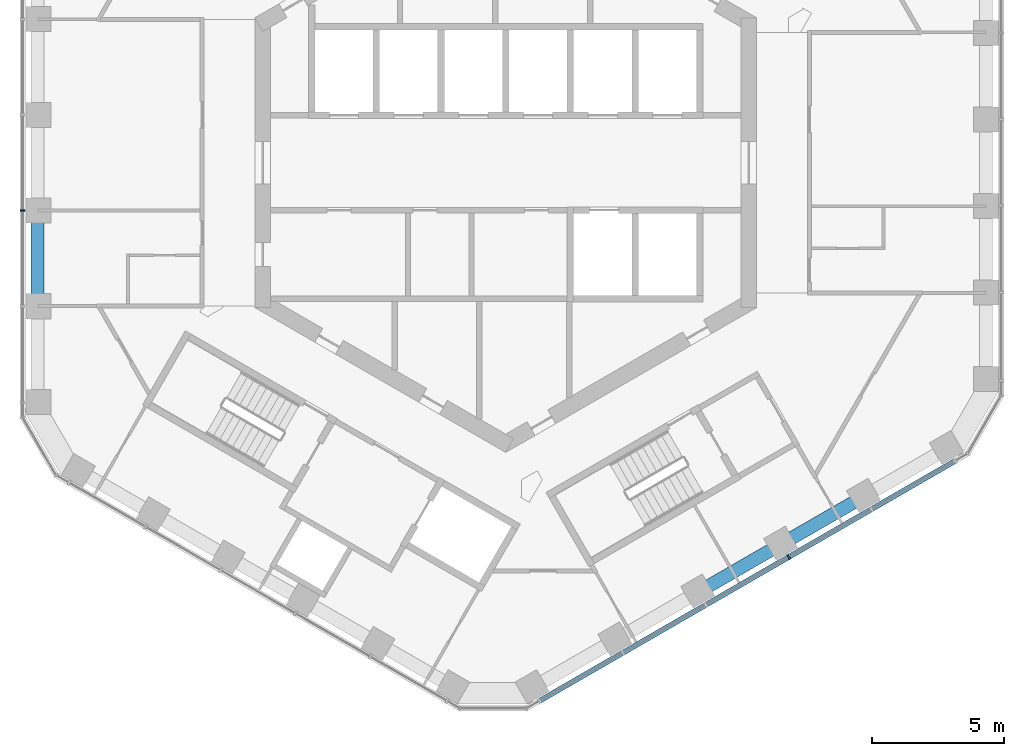
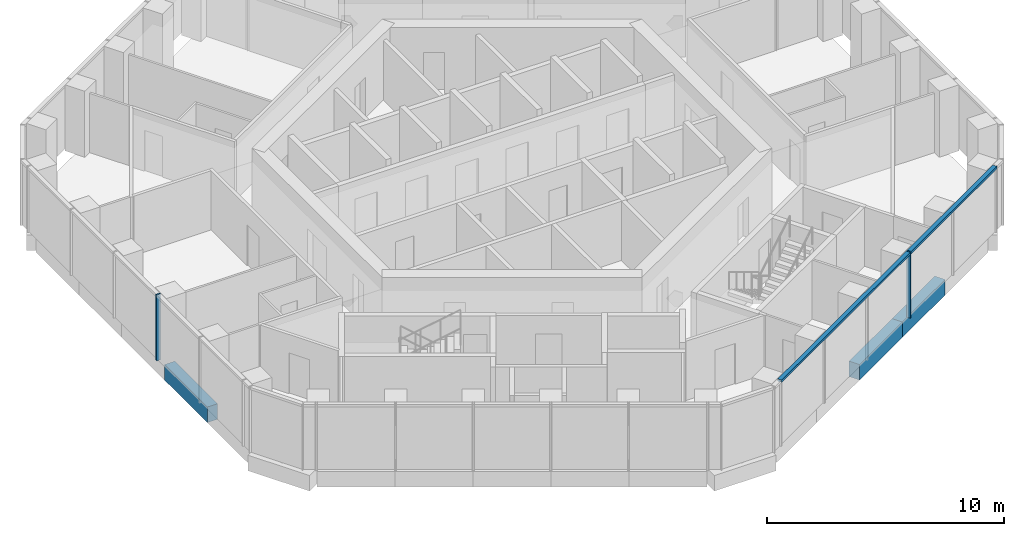
# One storey, part 3 of 18: 3 beams, 3 members, 2 elements without a shape of their own.
"""IFC4 building model written with IfcOpenShell, lengths in metres."""

from ifc_helpers import new_model, si_unit, direction, frame, origin, origin_2d, place, context, subcontext, project, spatial, rectangle, extrude, material, layer, layer_set, material_profile, profile_set, type_object, element, aggregate, save


model = new_model("IFC4")

# Units and contexts
model_context = context("Model", 3, precision=1e-05, world=origin(), true_north=direction((0.0, 1.0)))
body_context = subcontext(model_context, "Body", "Model", "MODEL_VIEW")
ifc_project = project(units=[si_unit("LENGTHUNIT", "METRE"), si_unit("AREAUNIT", "SQUARE_METRE"), si_unit("VOLUMEUNIT", "CUBIC_METRE"), si_unit("PLANEANGLEUNIT", "RADIAN"), si_unit("MASSUNIT", "GRAM", prefix="KILO")], contexts=[model_context])

# Site, building, storey
site_placement = place(None, origin())
site = spatial("IfcSite", under=ifc_project, at=site_placement, CompositionType="ELEMENT")
building_placement = place(site_placement, origin())
building = spatial("IfcBuilding", under=site, at=building_placement, Name="Ayvan Gate Tower", CompositionType="ELEMENT")
storey_placement = place(building_placement, frame((0.0, 0.0, 179.89990234375)))
storey = spatial("IfcBuildingStorey", under=building, at=storey_placement, Name="L48", CompositionType="ELEMENT", Elevation=179.89990234375)

# Beams
ifc_material_1 = material(Name="Concrete C40/50", Category="concrete")
ifc_material_profile_1 = material_profile(ifc_material_1, rectangle(XDim=0.5, YDim=0.800048828125, at=origin_2d()), Name="RC 500x800")
ifc_profile_set_1 = profile_set([ifc_material_profile_1], Name="Concrete C40/50")
beam_type = type_object("IfcBeamType", Name="Spandrel beam RC 500x800 C40/50", PredefinedType="BEAM", material=ifc_profile_set_1)
for number, where, z_axis, x_axis, name in (
    (1, (-17.724853515625, -1.806884765625, -0.75), (0.0, -1.0, 0.0), (1.0, 0.0, 0.0), "SB-L48-22"),
    (2, (7.297607421875, -16.253662109375, -0.75), (0.866026957163, 0.49999730946, 0.0), (-0.49999730946, 0.866026957163, 0.0), "SB-L48-33"),
    (3, (10.42724609375, -14.44677734375, -0.75), (0.866026957163, 0.49999730946, 0.0), (-0.49999730946, 0.866026957163, 0.0), "SB-L48-34"),
):
    element("IfcBeam", number, at=place(storey_placement, frame(where, z_axis=z_axis, x_axis=x_axis)), inside=storey, type_object=beam_type, Name=name, PredefinedType="BEAM", context=body_context, shape_type="SweptSolid", body=[
        extrude(rectangle(XDim=0.5, YDim=0.800048828125, at=origin_2d()), origin(), (0.0, 0.0, 1.0), 3.61376953125),
    ])

# Curtain wall, member
ifc_material_2 = material(Name="Bronze anodised aluminium", Category="aluminium")
ifc_layer = layer(ifc_material_2, 0.199951171875)
ifc_layer_set = layer_set([ifc_layer], Name="Bronze anodised aluminium")
curtain_wall_type = type_object("IfcCurtainWallType", Name="Stick curtain wall CW-2", PredefinedType="NOTDEFINED", material=ifc_layer_set)
curtain_wall_1_placement = place(storey_placement, origin())
curtain_wall_1 = element("IfcCurtainWall", 4, at=curtain_wall_1_placement, inside=storey, type_object=curtain_wall_type, Name="Stick curtain wall CW-2 L48", PredefinedType="NOTDEFINED")
ifc_material_profile_2 = material_profile(ifc_material_2, rectangle(XDim=0.199951171875, YDim=0.070068359375, at=origin_2d()), Name="Stick curtain wall CW-2 mullion 200 x 70")
ifc_profile_set_2 = profile_set([ifc_material_profile_2], Name="Bronze anodised aluminium")
member_type_1 = type_object("IfcMemberType", Name="Stick curtain wall CW-2 mullion 200 x 70", PredefinedType="MULLION", material=ifc_profile_set_2)
member_1_placement = place(storey_placement, frame((-18.286865234375, -1.812255859375, 0.0), z_axis=(0.0, 0.0, 1.0), x_axis=(-1.0, 0.0, 0.0)))
member_1 = element("IfcMember", 5, at=member_1_placement, type_object=member_type_1, Name="CW-2 mullion 4", PredefinedType="MULLION", context=body_context, shape_type="SweptSolid", body=[
    extrude(rectangle(XDim=0.199951171875, YDim=0.070068359375, at=origin_2d()), origin(), (0.0, 0.0, 1.0), 3.400146484375),
])
aggregate(curtain_wall_1, [member_1])

# Curtain wall, members
curtain_wall_2_placement = place(storey_placement, origin())
curtain_wall_2 = element("IfcCurtainWall", 6, at=curtain_wall_2_placement, inside=storey, type_object=curtain_wall_type, Name="Stick curtain wall CW-2 L48", PredefinedType="NOTDEFINED")
member_2_placement = place(storey_placement, frame((10.712890625, -14.9306640625, 0.0), z_axis=(0.0, 0.0, 1.0), x_axis=(0.5, -0.866025403784, 0.0)))
member_2 = element("IfcMember", 7, at=member_2_placement, type_object=member_type_1, Name="CW-2 mullion 4", PredefinedType="MULLION", context=body_context, shape_type="SweptSolid", body=[
    extrude(rectangle(XDim=0.199951171875, YDim=0.070068359375, at=origin_2d()), origin(), (0.0, 0.0, 1.0), 3.400146484375),
])
ifc_material_profile_3 = material_profile(ifc_material_2, rectangle(XDim=0.199951171875, YDim=0.1201171875, at=origin_2d()), Name="Stick curtain wall CW-2 transom 200 x 120")
ifc_profile_set_3 = profile_set([ifc_material_profile_3], Name="Bronze anodised aluminium")
member_type_2 = type_object("IfcMemberType", Name="Stick curtain wall CW-2 transom 200 x 120", PredefinedType="USERDEFINED", material=ifc_profile_set_3)
member_3_placement = place(storey_placement, frame((1.277587890625, -20.378173828125, 3.340087890625), z_axis=(0.866023770186, 0.500002829465, 0.0), x_axis=(-0.500002829465, 0.866023770186, 0.0)))
member_3 = element("IfcMember", 8, at=member_3_placement, type_object=member_type_2, Name="CW-2 transom 1", ObjectType="TRANSOM", PredefinedType="USERDEFINED", context=body_context, shape_type="SweptSolid", body=[
    extrude(rectangle(XDim=0.199951171875, YDim=0.1201171875, at=origin_2d()), origin(), (0.0, 0.0, 1.0), 18.16552734375),
])
aggregate(curtain_wall_2, [member_2, member_3])

save(model, "model.ifc")
